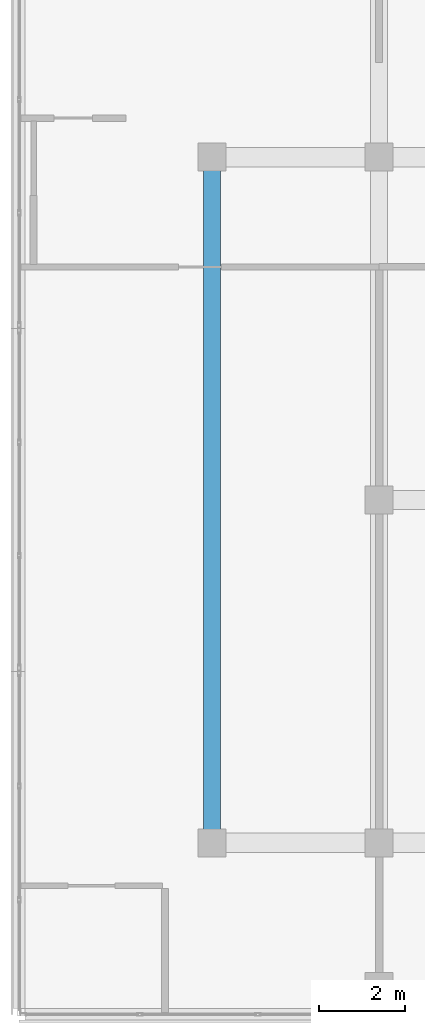
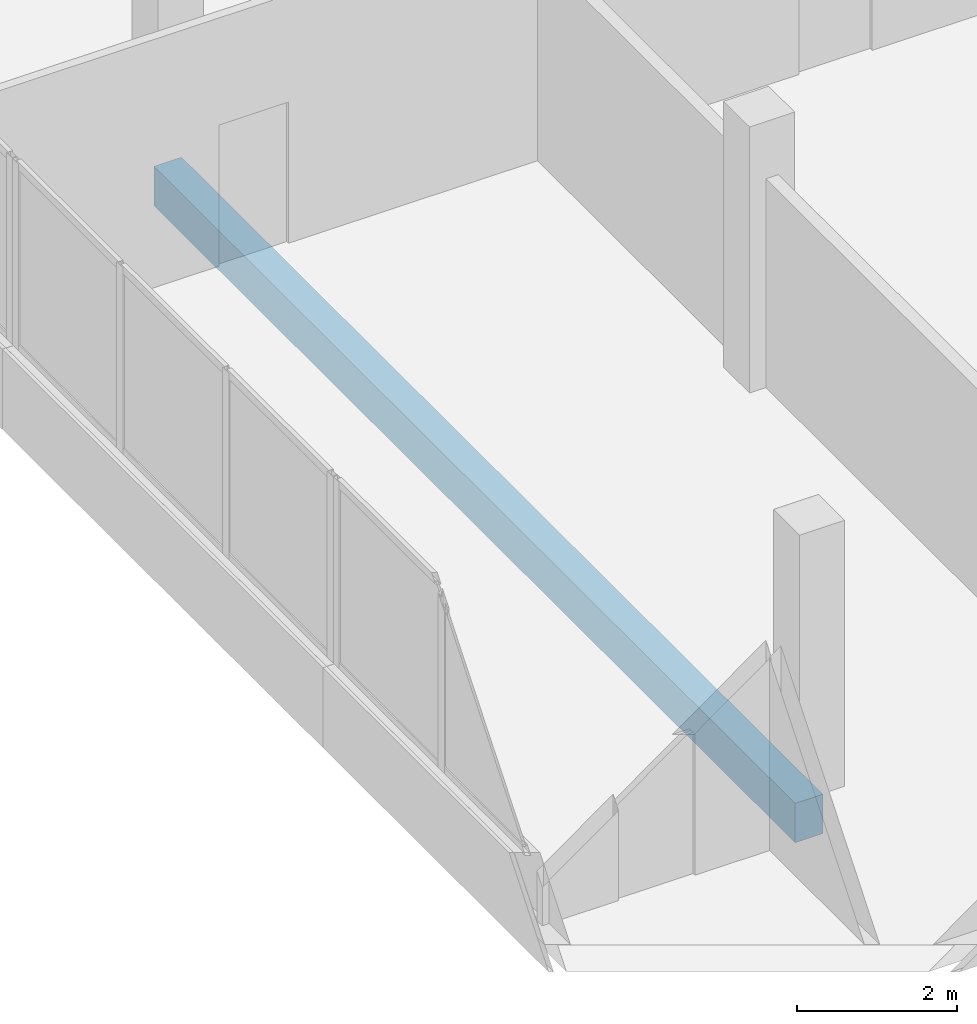
# One storey, part 13 of 76: 1 beam.
"""IFC4 building model written with IfcOpenShell, lengths in metres."""

from ifc_helpers import new_model, si_unit, direction, frame, origin, origin_2d, place, context, subcontext, project, spatial, rectangle, extrude, material, material_profile, profile_set, type_object, element, save


model = new_model("IFC4")

# Units and contexts
model_context = context("Model", 3, precision=1e-05, world=origin(), true_north=direction((0.0, 1.0)))
body_context = subcontext(model_context, "Body", "Model", "MODEL_VIEW")
ifc_project = project(units=[si_unit("LENGTHUNIT", "METRE"), si_unit("AREAUNIT", "SQUARE_METRE"), si_unit("VOLUMEUNIT", "CUBIC_METRE"), si_unit("PLANEANGLEUNIT", "RADIAN"), si_unit("MASSUNIT", "GRAM", prefix="KILO")], contexts=[model_context])

# Site, building, storey
site_placement = place(None, origin())
site = spatial("IfcSite", under=ifc_project, at=site_placement, CompositionType="ELEMENT")
building_placement = place(site_placement, origin())
building = spatial("IfcBuilding", under=site, at=building_placement, Name="Selatvlak General Hospital", CompositionType="ELEMENT")
storey_placement = place(building_placement, frame((0.0, 0.0, 27.300048828125)))
storey = spatial("IfcBuildingStorey", under=building, at=storey_placement, Name="L06", CompositionType="ELEMENT", Elevation=27.300048828125)

# Beam
ifc_material = material(Name="Concrete C40/50", Category="concrete")
ifc_material_profile = material_profile(ifc_material, rectangle(XDim=0.39990234375, YDim=0.60009765625, at=origin_2d()), Name="RC-BM 400x600")
ifc_profile_set = profile_set([ifc_material_profile], Name="Concrete C40/50")
beam_type = type_object("IfcBeamType", Name="BM-G05", PredefinedType="BEAM", material=ifc_profile_set)
beam_placement = place(storey_placement, frame((27.300048828125, 92.0, -0.574951171875), z_axis=(0.0, 1.0, 0.0), x_axis=(-1.0, 0.0, 0.0)))
element("IfcBeam", 1, at=beam_placement, inside=storey, type_object=beam_type, Name="Beam BMR-L06-2245", PredefinedType="BEAM", context=body_context, shape_type="SweptSolid", body=[
    extrude(rectangle(XDim=0.39990234375, YDim=0.60009765625, at=origin_2d()), origin(), (0.0, 0.0, 1.0), 16.0),
])

save(model, "model.ifc")
